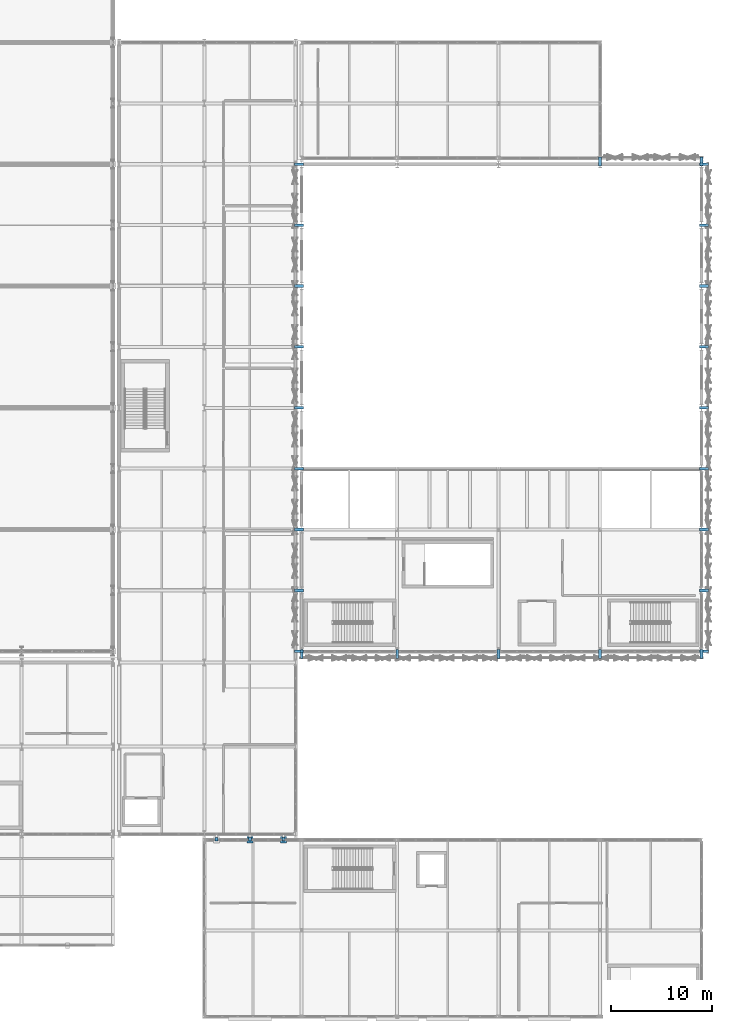
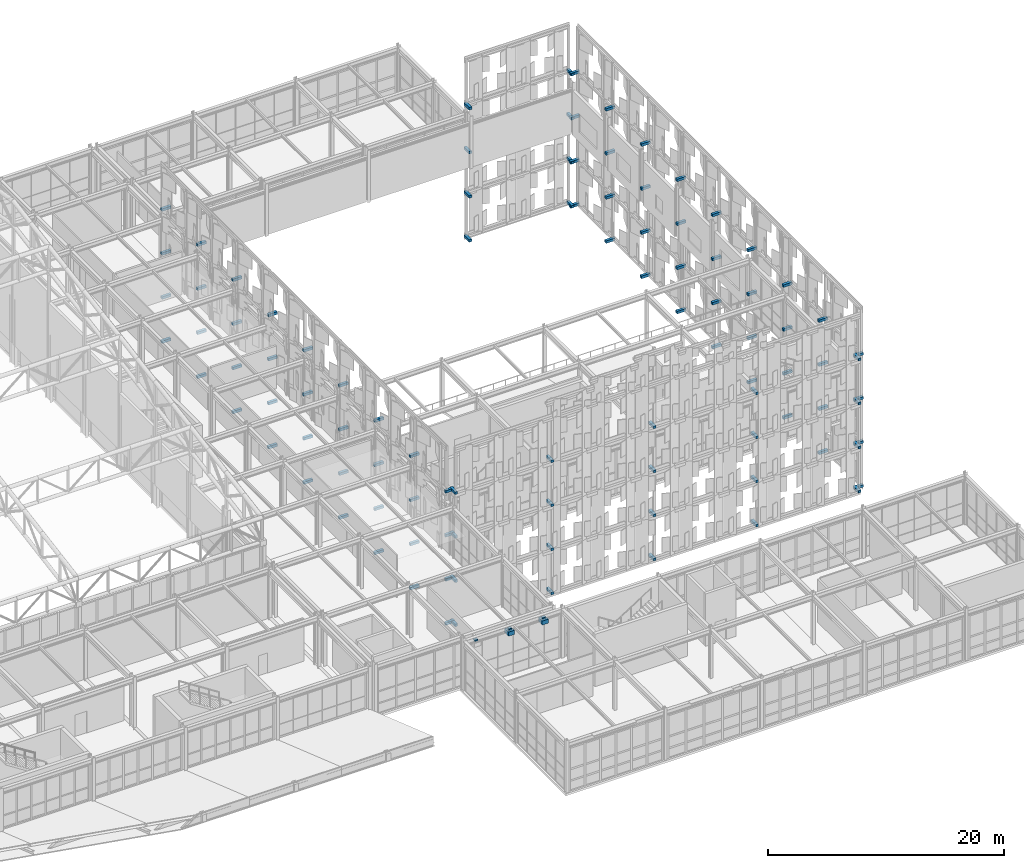
# One storey, part 213 of 239: 105 discrete accessories.
"""IFC4 building model written with IfcOpenShell, lengths in metres."""

from ifc_helpers import new_model, si_unit, direction, frame, origin, origin_2d, place, context, subcontext, project, spatial, rectangle, extrude, material, type_object, element, save


model = new_model("IFC4")

# Units and contexts
model_context = context("Model", 3, precision=1e-05, world=origin(), true_north=direction((0.0, 1.0)))
body_context = subcontext(model_context, "Body", "Model", "MODEL_VIEW")
ifc_project = project(units=[si_unit("LENGTHUNIT", "METRE"), si_unit("AREAUNIT", "SQUARE_METRE"), si_unit("VOLUMEUNIT", "CUBIC_METRE"), si_unit("PLANEANGLEUNIT", "RADIAN"), si_unit("MASSUNIT", "GRAM", prefix="KILO")], contexts=[model_context])

# Site, building, storey
site_placement = place(None, origin())
site = spatial("IfcSite", under=ifc_project, at=site_placement, CompositionType="ELEMENT")
building_placement = place(site_placement, origin())
building = spatial("IfcBuilding", under=site, at=building_placement, Name="Kaldris Quays Convention Centre", CompositionType="ELEMENT")
storey_placement = place(building_placement, frame((0.0, 0.0, 11.39990234375)))
storey = spatial("IfcBuildingStorey", under=building, at=storey_placement, Name="L02", CompositionType="ELEMENT", Elevation=11.39990234375)

# Discrete accessories
ifc_material_1 = material(Name="Concrete C40/50", Category="concrete")
discrete_accessory_type_1 = type_object("IfcDiscreteAccessoryType", Name="BRIDGE CORBEL BRACKET CBK1", PredefinedType="BRACKET", material=ifc_material_1)
for number, where, z_axis, x_axis, name in (
    (1, (159.5, 37.449951171875, 4.210205078125), (0.0, 0.0, 1.0), (1.0, 0.0, 0.0), "L02 Bridge 650 mm RC Corbel Seat 2"),
    (2, (162.800048828125, 37.449951171875, 4.210205078125), (0.0, 0.0, 1.0), (1.0, 0.0, 0.0), "L02 Bridge 650 mm RC Corbel Seat 3"),
):
    element("IfcDiscreteAccessory", number, at=place(storey_placement, frame(where, z_axis=z_axis, x_axis=x_axis)), inside=storey, type_object=discrete_accessory_type_1, Name=name, PredefinedType="BRACKET", context=body_context, shape_type="SweptSolid", body=[
        extrude(rectangle(XDim=0.60009765625, YDim=0.64990234375, at=origin_2d()), origin(), (0.0, 0.0, 1.0), 0.419921875),
    ])
ifc_material_2 = material(Name="Steel S355J2", Category="steel")
discrete_accessory_type_2 = type_object("IfcDiscreteAccessoryType", Name="PTFE SLIDING BEARING SB01", PredefinedType="USERDEFINED", material=ifc_material_2)
for number, where, z_axis, x_axis, name in (
    (3, (156.199951171875, 37.47998046875, 4.63037109375), (0.0, 0.0, 1.0), (1.0, 0.0, 0.0), "Unguided Multi-Directional PTFE Sliding Bearing SB01 1"),
    (4, (159.5, 37.47998046875, 4.63037109375), (0.0, 0.0, 1.0), (1.0, 0.0, 0.0), "Unguided Multi-Directional PTFE Sliding Bearing SB01 2"),
    (5, (162.800048828125, 37.47998046875, 4.63037109375), (0.0, 0.0, 1.0), (1.0, 0.0, 0.0), "Unguided Multi-Directional PTFE Sliding Bearing SB01 3"),
):
    element("IfcDiscreteAccessory", number, at=place(storey_placement, frame(where, z_axis=z_axis, x_axis=x_axis)), inside=storey, type_object=discrete_accessory_type_2, Name=name, ObjectType="PTFE SLIDING BEARING", PredefinedType="USERDEFINED", context=body_context, shape_type="SweptSolid", body=[
        extrude(rectangle(XDim=0.300048828125, YDim=0.300048828125, at=origin_2d()), origin(), (0.0, 0.0, 1.0), 0.139892578125),
    ])
discrete_accessory_type_3 = type_object("IfcDiscreteAccessoryType", Name="SCREEN OUTRIGGER BRACKET BK01", PredefinedType="BRACKET", material=ifc_material_2)
for number, where, z_axis, x_axis, name in (
    (6, (204.260009765625, 56.0, -7.6796875), (0.0, 0.0, 1.0), (0.0, 1.0, 0.0), "V2E Screen Outrigger Bracket 268"),
    (7, (204.260009765625, 56.0, -3.1298828125), (0.0, 0.0, 1.0), (0.0, 1.0, 0.0), "V2E Screen Outrigger Bracket 269"),
    (8, (204.260009765625, 56.0, 1.419921875), (0.0, 0.0, 1.0), (0.0, 1.0, 0.0), "V2E Screen Outrigger Bracket 270"),
    (9, (204.260009765625, 56.0, 5.97021484375), (0.0, 0.0, 1.0), (0.0, 1.0, 0.0), "V2E Screen Outrigger Bracket 271"),
    (10, (204.260009765625, 62.0, -7.6796875), (0.0, 0.0, 1.0), (0.0, 1.0, 0.0), "V2E Screen Outrigger Bracket 273"),
    (11, (204.260009765625, 62.0, -3.1298828125), (0.0, 0.0, 1.0), (0.0, 1.0, 0.0), "V2E Screen Outrigger Bracket 274"),
    (12, (204.260009765625, 62.0, 1.419921875), (0.0, 0.0, 1.0), (0.0, 1.0, 0.0), "V2E Screen Outrigger Bracket 275"),
    (13, (204.260009765625, 62.0, 5.97021484375), (0.0, 0.0, 1.0), (0.0, 1.0, 0.0), "V2E Screen Outrigger Bracket 276"),
    (14, (204.260009765625, 68.0, -7.6796875), (0.0, 0.0, 1.0), (0.0, 1.0, 0.0), "V2E Screen Outrigger Bracket 278"),
    (15, (204.260009765625, 68.0, -3.1298828125), (0.0, 0.0, 1.0), (0.0, 1.0, 0.0), "V2E Screen Outrigger Bracket 279"),
    (16, (204.260009765625, 68.0, 1.419921875), (0.0, 0.0, 1.0), (0.0, 1.0, 0.0), "V2E Screen Outrigger Bracket 280"),
    (17, (204.260009765625, 68.0, 5.97021484375), (0.0, 0.0, 1.0), (0.0, 1.0, 0.0), "V2E Screen Outrigger Bracket 281"),
    (18, (204.260009765625, 74.0, -7.6796875), (0.0, 0.0, 1.0), (0.0, 1.0, 0.0), "V2E Screen Outrigger Bracket 283"),
    (19, (204.260009765625, 74.0, -3.1298828125), (0.0, 0.0, 1.0), (0.0, 1.0, 0.0), "V2E Screen Outrigger Bracket 284"),
    (20, (204.260009765625, 74.0, 1.419921875), (0.0, 0.0, 1.0), (0.0, 1.0, 0.0), "V2E Screen Outrigger Bracket 285"),
    (21, (204.260009765625, 74.0, 5.97021484375), (0.0, 0.0, 1.0), (0.0, 1.0, 0.0), "V2E Screen Outrigger Bracket 286"),
    (22, (204.260009765625, 80.0, -7.6796875), (0.0, 0.0, 1.0), (0.0, 1.0, 0.0), "V2E Screen Outrigger Bracket 288"),
    (23, (204.260009765625, 80.0, -3.1298828125), (0.0, 0.0, 1.0), (0.0, 1.0, 0.0), "V2E Screen Outrigger Bracket 289"),
    (24, (204.260009765625, 80.0, 1.419921875), (0.0, 0.0, 1.0), (0.0, 1.0, 0.0), "V2E Screen Outrigger Bracket 290"),
    (25, (204.260009765625, 80.0, 5.97021484375), (0.0, 0.0, 1.0), (0.0, 1.0, 0.0), "V2E Screen Outrigger Bracket 291"),
    (26, (204.260009765625, 86.0, -7.6796875), (0.0, 0.0, 1.0), (0.0, 1.0, 0.0), "V2E Screen Outrigger Bracket 293"),
    (27, (204.260009765625, 86.0, -3.1298828125), (0.0, 0.0, 1.0), (0.0, 1.0, 0.0), "V2E Screen Outrigger Bracket 294"),
    (28, (204.260009765625, 86.0, 1.419921875), (0.0, 0.0, 1.0), (0.0, 1.0, 0.0), "V2E Screen Outrigger Bracket 295"),
    (29, (204.260009765625, 86.0, 5.97021484375), (0.0, 0.0, 1.0), (0.0, 1.0, 0.0), "V2E Screen Outrigger Bracket 296"),
    (30, (204.260009765625, 92.0, -7.6796875), (0.0, 0.0, 1.0), (0.0, 1.0, 0.0), "V2E Screen Outrigger Bracket 298"),
    (31, (204.260009765625, 92.0, -3.1298828125), (0.0, 0.0, 1.0), (0.0, 1.0, 0.0), "V2E Screen Outrigger Bracket 299"),
    (32, (204.260009765625, 92.0, 1.419921875), (0.0, 0.0, 1.0), (0.0, 1.0, 0.0), "V2E Screen Outrigger Bracket 300"),
    (33, (204.260009765625, 92.0, 5.97021484375), (0.0, 0.0, 1.0), (0.0, 1.0, 0.0), "V2E Screen Outrigger Bracket 301"),
    (34, (204.260009765625, 98.0, -7.6796875), (0.0, 0.0, 1.0), (0.0, 1.0, 0.0), "V2E Screen Outrigger Bracket 303"),
    (35, (204.260009765625, 98.0, -3.1298828125), (0.0, 0.0, 1.0), (0.0, 1.0, 0.0), "V2E Screen Outrigger Bracket 304"),
    (36, (204.260009765625, 98.0, 1.419921875), (0.0, 0.0, 1.0), (0.0, 1.0, 0.0), "V2E Screen Outrigger Bracket 305"),
    (37, (204.260009765625, 98.0, 5.97021484375), (0.0, 0.0, 1.0), (0.0, 1.0, 0.0), "V2E Screen Outrigger Bracket 306"),
    (38, (204.260009765625, 104.0, -7.6796875), (0.0, 0.0, 1.0), (0.0, 1.0, 0.0), "V2E Screen Outrigger Bracket 308"),
    (39, (204.260009765625, 104.0, -3.1298828125), (0.0, 0.0, 1.0), (0.0, 1.0, 0.0), "V2E Screen Outrigger Bracket 309"),
    (40, (204.260009765625, 104.0, 1.419921875), (0.0, 0.0, 1.0), (0.0, 1.0, 0.0), "V2E Screen Outrigger Bracket 310"),
    (41, (204.260009765625, 104.0, 5.97021484375), (0.0, 0.0, 1.0), (0.0, 1.0, 0.0), "V2E Screen Outrigger Bracket 311"),
    (42, (164.340087890625, 56.0, -7.6796875), (0.0, 0.0, 1.0), (0.0, 1.0, 0.0), "V2W Screen Outrigger Bracket 318"),
    (43, (164.340087890625, 56.0, -3.1298828125), (0.0, 0.0, 1.0), (0.0, 1.0, 0.0), "V2W Screen Outrigger Bracket 319"),
    (44, (164.340087890625, 56.0, 1.419921875), (0.0, 0.0, 1.0), (0.0, 1.0, 0.0), "V2W Screen Outrigger Bracket 320"),
    (45, (164.340087890625, 56.0, 5.97021484375), (0.0, 0.0, 1.0), (0.0, 1.0, 0.0), "V2W Screen Outrigger Bracket 321"),
    (46, (164.340087890625, 62.0, -7.6796875), (0.0, 0.0, 1.0), (0.0, 1.0, 0.0), "V2W Screen Outrigger Bracket 323"),
    (47, (164.340087890625, 62.0, -3.1298828125), (0.0, 0.0, 1.0), (0.0, 1.0, 0.0), "V2W Screen Outrigger Bracket 324"),
    (48, (164.340087890625, 62.0, 1.419921875), (0.0, 0.0, 1.0), (0.0, 1.0, 0.0), "V2W Screen Outrigger Bracket 325"),
    (49, (164.340087890625, 62.0, 5.97021484375), (0.0, 0.0, 1.0), (0.0, 1.0, 0.0), "V2W Screen Outrigger Bracket 326"),
    (50, (164.340087890625, 68.0, -7.6796875), (0.0, 0.0, 1.0), (0.0, 1.0, 0.0), "V2W Screen Outrigger Bracket 328"),
    (51, (164.340087890625, 68.0, -3.1298828125), (0.0, 0.0, 1.0), (0.0, 1.0, 0.0), "V2W Screen Outrigger Bracket 329"),
    (52, (164.340087890625, 68.0, 1.419921875), (0.0, 0.0, 1.0), (0.0, 1.0, 0.0), "V2W Screen Outrigger Bracket 330"),
    (53, (164.340087890625, 68.0, 5.97021484375), (0.0, 0.0, 1.0), (0.0, 1.0, 0.0), "V2W Screen Outrigger Bracket 331"),
    (54, (164.340087890625, 74.0, -7.6796875), (0.0, 0.0, 1.0), (0.0, 1.0, 0.0), "V2W Screen Outrigger Bracket 333"),
    (55, (164.340087890625, 74.0, -3.1298828125), (0.0, 0.0, 1.0), (0.0, 1.0, 0.0), "V2W Screen Outrigger Bracket 334"),
    (56, (164.340087890625, 74.0, 1.419921875), (0.0, 0.0, 1.0), (0.0, 1.0, 0.0), "V2W Screen Outrigger Bracket 335"),
    (57, (164.340087890625, 74.0, 5.97021484375), (0.0, 0.0, 1.0), (0.0, 1.0, 0.0), "V2W Screen Outrigger Bracket 336"),
    (58, (164.340087890625, 80.0, -7.6796875), (0.0, 0.0, 1.0), (0.0, 1.0, 0.0), "V2W Screen Outrigger Bracket 338"),
    (59, (164.340087890625, 80.0, -3.1298828125), (0.0, 0.0, 1.0), (0.0, 1.0, 0.0), "V2W Screen Outrigger Bracket 339"),
    (60, (164.340087890625, 80.0, 1.419921875), (0.0, 0.0, 1.0), (0.0, 1.0, 0.0), "V2W Screen Outrigger Bracket 340"),
    (61, (164.340087890625, 80.0, 5.97021484375), (0.0, 0.0, 1.0), (0.0, 1.0, 0.0), "V2W Screen Outrigger Bracket 341"),
    (62, (164.340087890625, 86.0, -7.6796875), (0.0, 0.0, 1.0), (0.0, 1.0, 0.0), "V2W Screen Outrigger Bracket 343"),
    (63, (164.340087890625, 86.0, -3.1298828125), (0.0, 0.0, 1.0), (0.0, 1.0, 0.0), "V2W Screen Outrigger Bracket 344"),
    (64, (164.340087890625, 86.0, 1.419921875), (0.0, 0.0, 1.0), (0.0, 1.0, 0.0), "V2W Screen Outrigger Bracket 345"),
    (65, (164.340087890625, 86.0, 5.97021484375), (0.0, 0.0, 1.0), (0.0, 1.0, 0.0), "V2W Screen Outrigger Bracket 346"),
    (66, (164.340087890625, 92.0, -7.6796875), (0.0, 0.0, 1.0), (0.0, 1.0, 0.0), "V2W Screen Outrigger Bracket 348"),
    (67, (164.340087890625, 92.0, -3.1298828125), (0.0, 0.0, 1.0), (0.0, 1.0, 0.0), "V2W Screen Outrigger Bracket 349"),
    (68, (164.340087890625, 92.0, 1.419921875), (0.0, 0.0, 1.0), (0.0, 1.0, 0.0), "V2W Screen Outrigger Bracket 350"),
    (69, (164.340087890625, 92.0, 5.97021484375), (0.0, 0.0, 1.0), (0.0, 1.0, 0.0), "V2W Screen Outrigger Bracket 351"),
    (70, (164.340087890625, 98.0, -7.6796875), (0.0, 0.0, 1.0), (0.0, 1.0, 0.0), "V2W Screen Outrigger Bracket 353"),
    (71, (164.340087890625, 98.0, -3.1298828125), (0.0, 0.0, 1.0), (0.0, 1.0, 0.0), "V2W Screen Outrigger Bracket 354"),
    (72, (164.340087890625, 98.0, 1.419921875), (0.0, 0.0, 1.0), (0.0, 1.0, 0.0), "V2W Screen Outrigger Bracket 355"),
    (73, (164.340087890625, 98.0, 5.97021484375), (0.0, 0.0, 1.0), (0.0, 1.0, 0.0), "V2W Screen Outrigger Bracket 356"),
    (74, (164.340087890625, 104.0, -7.6796875), (0.0, 0.0, 1.0), (0.0, 1.0, 0.0), "V2W Screen Outrigger Bracket 358"),
    (75, (164.340087890625, 104.0, -3.1298828125), (0.0, 0.0, 1.0), (0.0, 1.0, 0.0), "V2W Screen Outrigger Bracket 359"),
    (76, (164.340087890625, 104.0, 1.419921875), (0.0, 0.0, 1.0), (0.0, 1.0, 0.0), "V2W Screen Outrigger Bracket 360"),
    (77, (164.340087890625, 104.0, 5.97021484375), (0.0, 0.0, 1.0), (0.0, 1.0, 0.0), "V2W Screen Outrigger Bracket 361"),
    (78, (164.60009765625, 55.739990234375, -7.6796875), (0.0, 0.0, 1.0), (1.0, 0.0, 0.0), "V2S Screen Outrigger Bracket 368"),
    (79, (164.60009765625, 55.739990234375, -3.1298828125), (0.0, 0.0, 1.0), (1.0, 0.0, 0.0), "V2S Screen Outrigger Bracket 369"),
    (80, (164.60009765625, 55.739990234375, 1.419921875), (0.0, 0.0, 1.0), (1.0, 0.0, 0.0), "V2S Screen Outrigger Bracket 370"),
    (81, (164.60009765625, 55.739990234375, 5.97021484375), (0.0, 0.0, 1.0), (1.0, 0.0, 0.0), "V2S Screen Outrigger Bracket 371"),
    (82, (174.0, 55.739990234375, -7.6796875), (0.0, 0.0, 1.0), (1.0, 0.0, 0.0), "V2S Screen Outrigger Bracket 373"),
    (83, (174.0, 55.739990234375, -3.1298828125), (0.0, 0.0, 1.0), (1.0, 0.0, 0.0), "V2S Screen Outrigger Bracket 374"),
    (84, (174.0, 55.739990234375, 1.419921875), (0.0, 0.0, 1.0), (1.0, 0.0, 0.0), "V2S Screen Outrigger Bracket 375"),
    (85, (174.0, 55.739990234375, 5.97021484375), (0.0, 0.0, 1.0), (1.0, 0.0, 0.0), "V2S Screen Outrigger Bracket 376"),
    (86, (184.0, 55.739990234375, -7.6796875), (0.0, 0.0, 1.0), (1.0, 0.0, 0.0), "V2S Screen Outrigger Bracket 378"),
    (87, (184.0, 55.739990234375, -3.1298828125), (0.0, 0.0, 1.0), (1.0, 0.0, 0.0), "V2S Screen Outrigger Bracket 379"),
    (88, (184.0, 55.739990234375, 1.419921875), (0.0, 0.0, 1.0), (1.0, 0.0, 0.0), "V2S Screen Outrigger Bracket 380"),
    (89, (184.0, 55.739990234375, 5.97021484375), (0.0, 0.0, 1.0), (1.0, 0.0, 0.0), "V2S Screen Outrigger Bracket 381"),
    (90, (194.0, 55.739990234375, -7.6796875), (0.0, 0.0, 1.0), (1.0, 0.0, 0.0), "V2S Screen Outrigger Bracket 383"),
    (91, (194.0, 55.739990234375, -3.1298828125), (0.0, 0.0, 1.0), (1.0, 0.0, 0.0), "V2S Screen Outrigger Bracket 384"),
    (92, (194.0, 55.739990234375, 1.419921875), (0.0, 0.0, 1.0), (1.0, 0.0, 0.0), "V2S Screen Outrigger Bracket 385"),
    (93, (194.0, 55.739990234375, 5.97021484375), (0.0, 0.0, 1.0), (1.0, 0.0, 0.0), "V2S Screen Outrigger Bracket 386"),
    (94, (204.0, 55.739990234375, -7.6796875), (0.0, 0.0, 1.0), (1.0, 0.0, 0.0), "V2S Screen Outrigger Bracket 388"),
    (95, (204.0, 55.739990234375, -3.1298828125), (0.0, 0.0, 1.0), (1.0, 0.0, 0.0), "V2S Screen Outrigger Bracket 389"),
    (96, (204.0, 55.739990234375, 1.419921875), (0.0, 0.0, 1.0), (1.0, 0.0, 0.0), "V2S Screen Outrigger Bracket 390"),
    (97, (204.0, 55.739990234375, 5.97021484375), (0.0, 0.0, 1.0), (1.0, 0.0, 0.0), "V2S Screen Outrigger Bracket 391"),
    (98, (194.0, 104.260009765625, -7.6796875), (0.0, 0.0, 1.0), (1.0, 0.0, 0.0), "V2N Screen Outrigger Bracket 403"),
    (99, (194.0, 104.260009765625, -3.1298828125), (0.0, 0.0, 1.0), (1.0, 0.0, 0.0), "V2N Screen Outrigger Bracket 404"),
    (100, (194.0, 104.260009765625, 1.419921875), (0.0, 0.0, 1.0), (1.0, 0.0, 0.0), "V2N Screen Outrigger Bracket 405"),
    (101, (194.0, 104.260009765625, 5.97021484375), (0.0, 0.0, 1.0), (1.0, 0.0, 0.0), "V2N Screen Outrigger Bracket 406"),
    (102, (204.0, 104.260009765625, -7.6796875), (0.0, 0.0, 1.0), (1.0, 0.0, 0.0), "V2N Screen Outrigger Bracket 408"),
    (103, (204.0, 104.260009765625, -3.1298828125), (0.0, 0.0, 1.0), (1.0, 0.0, 0.0), "V2N Screen Outrigger Bracket 409"),
    (104, (204.0, 104.260009765625, 1.419921875), (0.0, 0.0, 1.0), (1.0, 0.0, 0.0), "V2N Screen Outrigger Bracket 410"),
    (105, (204.0, 104.260009765625, 5.97021484375), (0.0, 0.0, 1.0), (1.0, 0.0, 0.0), "V2N Screen Outrigger Bracket 411"),
):
    element("IfcDiscreteAccessory", number, at=place(storey_placement, frame(where, z_axis=z_axis, x_axis=x_axis)), inside=storey, type_object=discrete_accessory_type_3, Name=name, PredefinedType="BRACKET", context=body_context, shape_type="SweptSolid", body=[
        extrude(rectangle(XDim=0.260009765625, YDim=0.8798828125, at=origin_2d()), origin(), (0.0, 0.0, 1.0), 0.260009765625),
    ])

save(model, "model.ifc")
